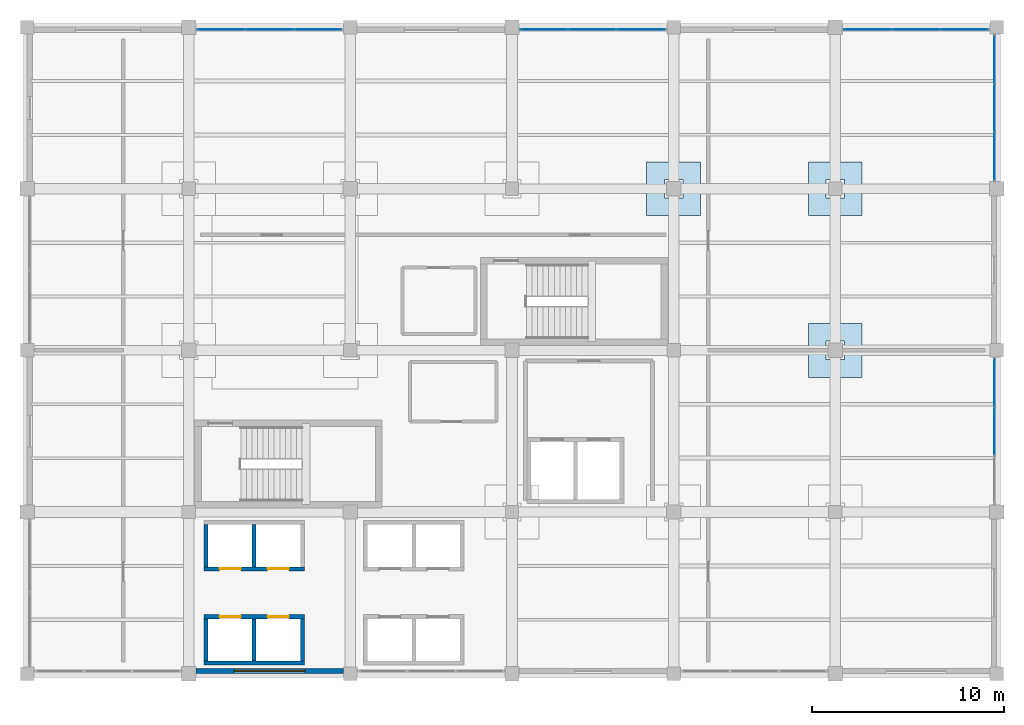
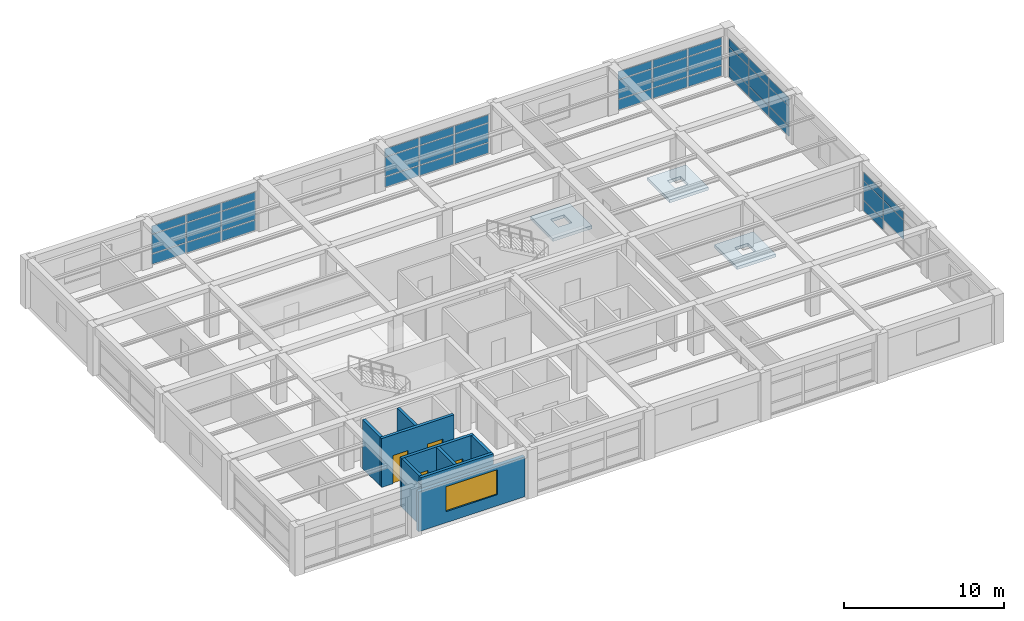
# One storey, part 23 of 26: 41 plates, 9 walls, 4 doors, 3 slabs, 1 window, 5 openings, 5 elements without a shape of their own.
"""IFC4 building model written with IfcOpenShell, lengths in metres."""

from ifc_helpers import new_model, si_unit, direction, frame, frame_2d, origin, origin_2d, place, context, subcontext, project, spatial, polyline, rectangle, outline, extrude, material, layer, layer_set, type_object, element, fill, aggregate, save


model = new_model("IFC4")

# Units and contexts
model_context = context("Model", 3, precision=1e-05, world=origin(), true_north=direction((0.0, 1.0)))
body_context = subcontext(model_context, "Body", "Model", "MODEL_VIEW")
ifc_project = project(units=[si_unit("LENGTHUNIT", "METRE"), si_unit("AREAUNIT", "SQUARE_METRE"), si_unit("VOLUMEUNIT", "CUBIC_METRE"), si_unit("PLANEANGLEUNIT", "RADIAN"), si_unit("MASSUNIT", "GRAM", prefix="KILO")], contexts=[model_context])

# Site, building, storey
site_placement = place(None, origin())
site = spatial("IfcSite", under=ifc_project, at=site_placement, CompositionType="ELEMENT")
building_placement = place(site_placement, origin())
building = spatial("IfcBuilding", under=site, at=building_placement, Name="Almacenes y Pasaje Nevantli", CompositionType="ELEMENT")
storey_placement = place(building_placement, frame((0.0, 0.0, 30.699951171875)))
storey = spatial("IfcBuildingStorey", under=building, at=storey_placement, Name="L07", CompositionType="ELEMENT", Elevation=30.699951171875)

# Curtain wall, plates
ifc_material_1 = material(Name="Thermally Broken Aluminium and Low-E Glass", Category="aluminium")
curtain_wall_type = type_object("IfcCurtainWallType", Name="CW-UNIT-TOWER", PredefinedType="USERDEFINED", material=ifc_material_1)
curtain_wall_1_placement = place(storey_placement, origin())
curtain_wall_1 = element("IfcCurtainWall", 1, at=curtain_wall_1_placement, inside=storey, type_object=curtain_wall_type, Name="L07 Tower North Boulevard Unitized Curtain Wall Bay 15", ObjectType="UNITIZED CURTAIN WALL", PredefinedType="USERDEFINED")
ifc_material_2 = material(Name="Acoustic Tempered Low-E Triple Glazed Unit", Category="glass")
ifc_layer_1 = layer(ifc_material_2, 0.0419921875)
ifc_layer_set_1 = layer_set([ifc_layer_1], Name="Acoustic Tempered Low-E Triple Glazed Unit")
plate_type = type_object("IfcPlateType", Name="PL-IGU-42", PredefinedType="CURTAIN_PANEL", material=ifc_layer_set_1)
plate_1_placement = place(storey_placement, frame((119.282958984375, 100.679931640625, 0.065185546875), z_axis=(0.0, 0.0, 1.0), x_axis=(1.0, 0.0, 0.0)))
plate_1 = element("IfcPlate", 2, at=plate_1_placement, type_object=plate_type, Name="CW-L07-112 panel 1.1", PredefinedType="CURTAIN_PANEL", context=body_context, shape_type="SweptSolid", body=[
    extrude(rectangle(XDim=2.435791015625, YDim=0.0419921875, at=origin_2d()), origin(), (0.0, 0.0, 1.0), 0.75244140625),
])
plate_2_placement = place(storey_placement, frame((119.282958984375, 100.679931640625, 0.882568359375), z_axis=(0.0, 0.0, 1.0), x_axis=(1.0, 0.0, 0.0)))
plate_2 = element("IfcPlate", 3, at=plate_2_placement, type_object=plate_type, Name="CW-L07-112 panel 1.2", PredefinedType="CURTAIN_PANEL", context=body_context, shape_type="SweptSolid", body=[
    extrude(rectangle(XDim=2.435791015625, YDim=0.0419921875, at=origin_2d()), origin(), (0.0, 0.0, 1.0), 1.43505859375),
])
plate_3_placement = place(storey_placement, frame((119.282958984375, 100.679931640625, 2.38232421875), z_axis=(0.0, 0.0, 1.0), x_axis=(1.0, 0.0, 0.0)))
plate_3 = element("IfcPlate", 4, at=plate_3_placement, type_object=plate_type, Name="CW-L07-112 panel 1.3", PredefinedType="CURTAIN_PANEL", context=body_context, shape_type="SweptSolid", body=[
    extrude(rectangle(XDim=2.435791015625, YDim=0.0419921875, at=origin_2d()), origin(), (0.0, 0.0, 1.0), 0.592529296875),
])
plate_4_placement = place(storey_placement, frame((121.800048828125, 100.679931640625, 0.065185546875), z_axis=(0.0, 0.0, 1.0), x_axis=(1.0, 0.0, 0.0)))
plate_4 = element("IfcPlate", 5, at=plate_4_placement, type_object=plate_type, Name="CW-L07-112 panel 2.1", PredefinedType="CURTAIN_PANEL", context=body_context, shape_type="SweptSolid", body=[
    extrude(rectangle(XDim=2.46826171875, YDim=0.0419921875, at=origin_2d()), origin(), (0.0, 0.0, 1.0), 0.75244140625),
])
plate_5_placement = place(storey_placement, frame((121.800048828125, 100.679931640625, 0.882568359375), z_axis=(0.0, 0.0, 1.0), x_axis=(1.0, 0.0, 0.0)))
plate_5 = element("IfcPlate", 6, at=plate_5_placement, type_object=plate_type, Name="CW-L07-112 panel 2.2", PredefinedType="CURTAIN_PANEL", context=body_context, shape_type="SweptSolid", body=[
    extrude(rectangle(XDim=2.46826171875, YDim=0.0419921875, at=origin_2d()), origin(), (0.0, 0.0, 1.0), 1.43505859375),
])
plate_6_placement = place(storey_placement, frame((121.800048828125, 100.679931640625, 2.38232421875), z_axis=(0.0, 0.0, 1.0), x_axis=(1.0, 0.0, 0.0)))
plate_6 = element("IfcPlate", 7, at=plate_6_placement, type_object=plate_type, Name="CW-L07-112 panel 2.3", PredefinedType="CURTAIN_PANEL", context=body_context, shape_type="SweptSolid", body=[
    extrude(rectangle(XDim=2.46826171875, YDim=0.0419921875, at=origin_2d()), origin(), (0.0, 0.0, 1.0), 0.592529296875),
])
plate_7_placement = place(storey_placement, frame((124.317138671875, 100.679931640625, 0.065185546875), z_axis=(0.0, 0.0, 1.0), x_axis=(1.0, 0.0, 0.0)))
plate_7 = element("IfcPlate", 8, at=plate_7_placement, type_object=plate_type, Name="CW-L07-112 panel 3.1", PredefinedType="CURTAIN_PANEL", context=body_context, shape_type="SweptSolid", body=[
    extrude(rectangle(XDim=2.435791015625, YDim=0.0419921875, at=origin_2d()), origin(), (0.0, 0.0, 1.0), 0.75244140625),
])
plate_8_placement = place(storey_placement, frame((124.317138671875, 100.679931640625, 0.882568359375), z_axis=(0.0, 0.0, 1.0), x_axis=(1.0, 0.0, 0.0)))
plate_8 = element("IfcPlate", 9, at=plate_8_placement, type_object=plate_type, Name="CW-L07-112 panel 3.2", PredefinedType="CURTAIN_PANEL", context=body_context, shape_type="SweptSolid", body=[
    extrude(rectangle(XDim=2.435791015625, YDim=0.0419921875, at=origin_2d()), origin(), (0.0, 0.0, 1.0), 1.43505859375),
])
plate_9_placement = place(storey_placement, frame((124.317138671875, 100.679931640625, 2.38232421875), z_axis=(0.0, 0.0, 1.0), x_axis=(1.0, 0.0, 0.0)))
plate_9 = element("IfcPlate", 10, at=plate_9_placement, type_object=plate_type, Name="CW-L07-112 panel 3.3", PredefinedType="CURTAIN_PANEL", context=body_context, shape_type="SweptSolid", body=[
    extrude(rectangle(XDim=2.435791015625, YDim=0.0419921875, at=origin_2d()), origin(), (0.0, 0.0, 1.0), 0.592529296875),
])
aggregate(curtain_wall_1, [plate_1, plate_2, plate_3, plate_4, plate_5, plate_6, plate_7, plate_8, plate_9])

curtain_wall_2_placement = place(storey_placement, origin())
curtain_wall_2 = element("IfcCurtainWall", 11, at=curtain_wall_2_placement, inside=storey, type_object=curtain_wall_type, Name="L07 Tower North Boulevard Unitized Curtain Wall Bay 17", ObjectType="UNITIZED CURTAIN WALL", PredefinedType="USERDEFINED")
plate_10_placement = place(storey_placement, frame((136.0830078125, 100.679931640625, 0.065185546875), z_axis=(0.0, 0.0, 1.0), x_axis=(1.0, 0.0, 0.0)))
plate_10 = element("IfcPlate", 12, at=plate_10_placement, type_object=plate_type, Name="CW-L07-114 panel 1.1", PredefinedType="CURTAIN_PANEL", context=body_context, shape_type="SweptSolid", body=[
    extrude(rectangle(XDim=2.435791015625, YDim=0.0419921875, at=origin_2d()), origin(), (0.0, 0.0, 1.0), 0.75244140625),
])
plate_11_placement = place(storey_placement, frame((136.0830078125, 100.679931640625, 0.882568359375), z_axis=(0.0, 0.0, 1.0), x_axis=(1.0, 0.0, 0.0)))
plate_11 = element("IfcPlate", 13, at=plate_11_placement, type_object=plate_type, Name="CW-L07-114 panel 1.2", PredefinedType="CURTAIN_PANEL", context=body_context, shape_type="SweptSolid", body=[
    extrude(rectangle(XDim=2.435791015625, YDim=0.0419921875, at=origin_2d()), origin(), (0.0, 0.0, 1.0), 1.43505859375),
])
plate_12_placement = place(storey_placement, frame((136.0830078125, 100.679931640625, 2.38232421875), z_axis=(0.0, 0.0, 1.0), x_axis=(1.0, 0.0, 0.0)))
plate_12 = element("IfcPlate", 14, at=plate_12_placement, type_object=plate_type, Name="CW-L07-114 panel 1.3", PredefinedType="CURTAIN_PANEL", context=body_context, shape_type="SweptSolid", body=[
    extrude(rectangle(XDim=2.435791015625, YDim=0.0419921875, at=origin_2d()), origin(), (0.0, 0.0, 1.0), 0.592529296875),
])
plate_13_placement = place(storey_placement, frame((138.60009765625, 100.679931640625, 0.065185546875), z_axis=(0.0, 0.0, 1.0), x_axis=(1.0, 0.0, 0.0)))
plate_13 = element("IfcPlate", 15, at=plate_13_placement, type_object=plate_type, Name="CW-L07-114 panel 2.1", PredefinedType="CURTAIN_PANEL", context=body_context, shape_type="SweptSolid", body=[
    extrude(rectangle(XDim=2.46826171875, YDim=0.0419921875, at=origin_2d()), origin(), (0.0, 0.0, 1.0), 0.75244140625),
])
plate_14_placement = place(storey_placement, frame((138.60009765625, 100.679931640625, 0.882568359375), z_axis=(0.0, 0.0, 1.0), x_axis=(1.0, 0.0, 0.0)))
plate_14 = element("IfcPlate", 16, at=plate_14_placement, type_object=plate_type, Name="CW-L07-114 panel 2.2", PredefinedType="CURTAIN_PANEL", context=body_context, shape_type="SweptSolid", body=[
    extrude(rectangle(XDim=2.46826171875, YDim=0.0419921875, at=origin_2d()), origin(), (0.0, 0.0, 1.0), 1.43505859375),
])
plate_15_placement = place(storey_placement, frame((138.60009765625, 100.679931640625, 2.38232421875), z_axis=(0.0, 0.0, 1.0), x_axis=(1.0, 0.0, 0.0)))
plate_15 = element("IfcPlate", 17, at=plate_15_placement, type_object=plate_type, Name="CW-L07-114 panel 2.3", PredefinedType="CURTAIN_PANEL", context=body_context, shape_type="SweptSolid", body=[
    extrude(rectangle(XDim=2.46826171875, YDim=0.0419921875, at=origin_2d()), origin(), (0.0, 0.0, 1.0), 0.592529296875),
])
plate_16_placement = place(storey_placement, frame((141.1171875, 100.679931640625, 0.065185546875), z_axis=(0.0, 0.0, 1.0), x_axis=(1.0, 0.0, 0.0)))
plate_16 = element("IfcPlate", 18, at=plate_16_placement, type_object=plate_type, Name="CW-L07-114 panel 3.1", PredefinedType="CURTAIN_PANEL", context=body_context, shape_type="SweptSolid", body=[
    extrude(rectangle(XDim=2.435791015625, YDim=0.0419921875, at=origin_2d()), origin(), (0.0, 0.0, 1.0), 0.75244140625),
])
plate_17_placement = place(storey_placement, frame((141.1171875, 100.679931640625, 0.882568359375), z_axis=(0.0, 0.0, 1.0), x_axis=(1.0, 0.0, 0.0)))
plate_17 = element("IfcPlate", 19, at=plate_17_placement, type_object=plate_type, Name="CW-L07-114 panel 3.2", PredefinedType="CURTAIN_PANEL", context=body_context, shape_type="SweptSolid", body=[
    extrude(rectangle(XDim=2.435791015625, YDim=0.0419921875, at=origin_2d()), origin(), (0.0, 0.0, 1.0), 1.43505859375),
])
plate_18_placement = place(storey_placement, frame((141.1171875, 100.679931640625, 2.38232421875), z_axis=(0.0, 0.0, 1.0), x_axis=(1.0, 0.0, 0.0)))
plate_18 = element("IfcPlate", 20, at=plate_18_placement, type_object=plate_type, Name="CW-L07-114 panel 3.3", PredefinedType="CURTAIN_PANEL", context=body_context, shape_type="SweptSolid", body=[
    extrude(rectangle(XDim=2.435791015625, YDim=0.0419921875, at=origin_2d()), origin(), (0.0, 0.0, 1.0), 0.592529296875),
])
aggregate(curtain_wall_2, [plate_10, plate_11, plate_12, plate_13, plate_14, plate_15, plate_16, plate_17, plate_18])

curtain_wall_3_placement = place(storey_placement, origin())
curtain_wall_3 = element("IfcCurtainWall", 21, at=curtain_wall_3_placement, inside=storey, type_object=curtain_wall_type, Name="L07 Tower North Boulevard Unitized Curtain Wall Bay 19", ObjectType="UNITIZED CURTAIN WALL", PredefinedType="USERDEFINED")
plate_19_placement = place(storey_placement, frame((152.8828125, 100.679931640625, 0.065185546875), z_axis=(0.0, 0.0, 1.0), x_axis=(1.0, 0.0, 0.0)))
plate_19 = element("IfcPlate", 22, at=plate_19_placement, type_object=plate_type, Name="CW-L07-116 panel 1.1", PredefinedType="CURTAIN_PANEL", context=body_context, shape_type="SweptSolid", body=[
    extrude(rectangle(XDim=2.435791015625, YDim=0.0419921875, at=origin_2d()), origin(), (0.0, 0.0, 1.0), 0.75244140625),
])
plate_20_placement = place(storey_placement, frame((152.8828125, 100.679931640625, 0.882568359375), z_axis=(0.0, 0.0, 1.0), x_axis=(1.0, 0.0, 0.0)))
plate_20 = element("IfcPlate", 23, at=plate_20_placement, type_object=plate_type, Name="CW-L07-116 panel 1.2", PredefinedType="CURTAIN_PANEL", context=body_context, shape_type="SweptSolid", body=[
    extrude(rectangle(XDim=2.435791015625, YDim=0.0419921875, at=origin_2d()), origin(), (0.0, 0.0, 1.0), 1.43505859375),
])
plate_21_placement = place(storey_placement, frame((152.8828125, 100.679931640625, 2.38232421875), z_axis=(0.0, 0.0, 1.0), x_axis=(1.0, 0.0, 0.0)))
plate_21 = element("IfcPlate", 24, at=plate_21_placement, type_object=plate_type, Name="CW-L07-116 panel 1.3", PredefinedType="CURTAIN_PANEL", context=body_context, shape_type="SweptSolid", body=[
    extrude(rectangle(XDim=2.435791015625, YDim=0.0419921875, at=origin_2d()), origin(), (0.0, 0.0, 1.0), 0.592529296875),
])
plate_22_placement = place(storey_placement, frame((155.39990234375, 100.679931640625, 0.065185546875), z_axis=(0.0, 0.0, 1.0), x_axis=(1.0, 0.0, 0.0)))
plate_22 = element("IfcPlate", 25, at=plate_22_placement, type_object=plate_type, Name="CW-L07-116 panel 2.1", PredefinedType="CURTAIN_PANEL", context=body_context, shape_type="SweptSolid", body=[
    extrude(rectangle(XDim=2.46826171875, YDim=0.0419921875, at=origin_2d()), origin(), (0.0, 0.0, 1.0), 0.75244140625),
])
plate_23_placement = place(storey_placement, frame((155.39990234375, 100.679931640625, 0.882568359375), z_axis=(0.0, 0.0, 1.0), x_axis=(1.0, 0.0, 0.0)))
plate_23 = element("IfcPlate", 26, at=plate_23_placement, type_object=plate_type, Name="CW-L07-116 panel 2.2", PredefinedType="CURTAIN_PANEL", context=body_context, shape_type="SweptSolid", body=[
    extrude(rectangle(XDim=2.46826171875, YDim=0.0419921875, at=origin_2d()), origin(), (0.0, 0.0, 1.0), 1.43505859375),
])
plate_24_placement = place(storey_placement, frame((155.39990234375, 100.679931640625, 2.38232421875), z_axis=(0.0, 0.0, 1.0), x_axis=(1.0, 0.0, 0.0)))
plate_24 = element("IfcPlate", 27, at=plate_24_placement, type_object=plate_type, Name="CW-L07-116 panel 2.3", PredefinedType="CURTAIN_PANEL", context=body_context, shape_type="SweptSolid", body=[
    extrude(rectangle(XDim=2.46826171875, YDim=0.0419921875, at=origin_2d()), origin(), (0.0, 0.0, 1.0), 0.592529296875),
])
plate_25_placement = place(storey_placement, frame((157.9169921875, 100.679931640625, 0.065185546875), z_axis=(0.0, 0.0, 1.0), x_axis=(1.0, 0.0, 0.0)))
plate_25 = element("IfcPlate", 28, at=plate_25_placement, type_object=plate_type, Name="CW-L07-116 panel 3.1", PredefinedType="CURTAIN_PANEL", context=body_context, shape_type="SweptSolid", body=[
    extrude(rectangle(XDim=2.435791015625, YDim=0.0419921875, at=origin_2d()), origin(), (0.0, 0.0, 1.0), 0.75244140625),
])
plate_26_placement = place(storey_placement, frame((157.9169921875, 100.679931640625, 0.882568359375), z_axis=(0.0, 0.0, 1.0), x_axis=(1.0, 0.0, 0.0)))
plate_26 = element("IfcPlate", 29, at=plate_26_placement, type_object=plate_type, Name="CW-L07-116 panel 3.2", PredefinedType="CURTAIN_PANEL", context=body_context, shape_type="SweptSolid", body=[
    extrude(rectangle(XDim=2.435791015625, YDim=0.0419921875, at=origin_2d()), origin(), (0.0, 0.0, 1.0), 1.43505859375),
])
plate_27_placement = place(storey_placement, frame((157.9169921875, 100.679931640625, 2.38232421875), z_axis=(0.0, 0.0, 1.0), x_axis=(1.0, 0.0, 0.0)))
plate_27 = element("IfcPlate", 30, at=plate_27_placement, type_object=plate_type, Name="CW-L07-116 panel 3.3", PredefinedType="CURTAIN_PANEL", context=body_context, shape_type="SweptSolid", body=[
    extrude(rectangle(XDim=2.435791015625, YDim=0.0419921875, at=origin_2d()), origin(), (0.0, 0.0, 1.0), 0.592529296875),
])
aggregate(curtain_wall_3, [plate_19, plate_20, plate_21, plate_22, plate_23, plate_24, plate_25, plate_26, plate_27])

curtain_wall_4_placement = place(storey_placement, origin())
curtain_wall_4 = element("IfcCurtainWall", 31, at=curtain_wall_4_placement, inside=storey, type_object=curtain_wall_type, Name="L07 Tower East Curtain Wall Bay 10", ObjectType="UNITIZED CURTAIN WALL", PredefinedType="USERDEFINED")
plate_28_placement = place(storey_placement, frame((159.47998046875, 79.800048828125, 0.880126953125), z_axis=(0.0, 0.0, 1.0), x_axis=(0.0, 1.0, 0.0)))
plate_28 = element("IfcPlate", 32, at=plate_28_placement, type_object=plate_type, Name="CW-L07-118 panel 2.2", PredefinedType="CURTAIN_PANEL", context=body_context, shape_type="SweptSolid", body=[
    extrude(rectangle(XDim=2.473388671875, YDim=0.0419921875, at=origin_2d()), origin(), (0.0, 0.0, 1.0), 1.43994140625),
])
plate_29_placement = place(storey_placement, frame((159.47998046875, 79.800048828125, 2.3798828125), z_axis=(0.0, 0.0, 1.0), x_axis=(0.0, 1.0, 0.0)))
plate_29 = element("IfcPlate", 33, at=plate_29_placement, type_object=plate_type, Name="CW-L07-118 panel 2.3", PredefinedType="CURTAIN_PANEL", context=body_context, shape_type="SweptSolid", body=[
    extrude(rectangle(XDim=2.473388671875, YDim=0.0419921875, at=origin_2d()), origin(), (0.0, 0.0, 1.0), 0.60009765625),
])
plate_30_placement = place(storey_placement, frame((159.47998046875, 82.318359375, 0.06005859375), z_axis=(0.0, 0.0, 1.0), x_axis=(0.0, 1.0, 0.0)))
plate_30 = element("IfcPlate", 34, at=plate_30_placement, type_object=plate_type, Name="CW-L07-118 panel 3.1", PredefinedType="CURTAIN_PANEL", context=body_context, shape_type="SweptSolid", body=[
    extrude(rectangle(XDim=2.443359375, YDim=0.0419921875, at=origin_2d()), origin(), (0.0, 0.0, 1.0), 0.760009765625),
])
plate_31_placement = place(storey_placement, frame((159.47998046875, 82.318359375, 0.880126953125), z_axis=(0.0, 0.0, 1.0), x_axis=(0.0, 1.0, 0.0)))
plate_31 = element("IfcPlate", 35, at=plate_31_placement, type_object=plate_type, Name="CW-L07-118 panel 3.2", PredefinedType="CURTAIN_PANEL", context=body_context, shape_type="SweptSolid", body=[
    extrude(rectangle(XDim=2.443359375, YDim=0.0419921875, at=origin_2d()), origin(), (0.0, 0.0, 1.0), 1.43994140625),
])
plate_32_placement = place(storey_placement, frame((159.47998046875, 82.318359375, 2.3798828125), z_axis=(0.0, 0.0, 1.0), x_axis=(0.0, 1.0, 0.0)))
plate_32 = element("IfcPlate", 36, at=plate_32_placement, type_object=plate_type, Name="CW-L07-118 panel 3.3", PredefinedType="CURTAIN_PANEL", context=body_context, shape_type="SweptSolid", body=[
    extrude(rectangle(XDim=2.443359375, YDim=0.0419921875, at=origin_2d()), origin(), (0.0, 0.0, 1.0), 0.60009765625),
])
aggregate(curtain_wall_4, [plate_28, plate_29, plate_30, plate_31, plate_32])

curtain_wall_5_placement = place(storey_placement, origin())
curtain_wall_5 = element("IfcCurtainWall", 37, at=curtain_wall_5_placement, inside=storey, type_object=curtain_wall_type, Name="L07 Tower East Curtain Wall Bay 12", ObjectType="UNITIZED CURTAIN WALL", PredefinedType="USERDEFINED")
plate_33_placement = place(storey_placement, frame((159.47998046875, 94.081787109375, 0.06005859375), z_axis=(0.0, 0.0, 1.0), x_axis=(0.0, 1.0, 0.0)))
plate_33 = element("IfcPlate", 38, at=plate_33_placement, type_object=plate_type, Name="CW-L07-120 panel 1.1", PredefinedType="CURTAIN_PANEL", context=body_context, shape_type="SweptSolid", body=[
    extrude(rectangle(XDim=2.443359375, YDim=0.0419921875, at=origin_2d()), origin(), (0.0, 0.0, 1.0), 0.760009765625),
])
plate_34_placement = place(storey_placement, frame((159.47998046875, 94.081787109375, 0.880126953125), z_axis=(0.0, 0.0, 1.0), x_axis=(0.0, 1.0, 0.0)))
plate_34 = element("IfcPlate", 39, at=plate_34_placement, type_object=plate_type, Name="CW-L07-120 panel 1.2", PredefinedType="CURTAIN_PANEL", context=body_context, shape_type="SweptSolid", body=[
    extrude(rectangle(XDim=2.443359375, YDim=0.0419921875, at=origin_2d()), origin(), (0.0, 0.0, 1.0), 1.43994140625),
])
plate_35_placement = place(storey_placement, frame((159.47998046875, 94.081787109375, 2.3798828125), z_axis=(0.0, 0.0, 1.0), x_axis=(0.0, 1.0, 0.0)))
plate_35 = element("IfcPlate", 40, at=plate_35_placement, type_object=plate_type, Name="CW-L07-120 panel 1.3", PredefinedType="CURTAIN_PANEL", context=body_context, shape_type="SweptSolid", body=[
    extrude(rectangle(XDim=2.443359375, YDim=0.0419921875, at=origin_2d()), origin(), (0.0, 0.0, 1.0), 0.60009765625),
])
plate_36_placement = place(storey_placement, frame((159.47998046875, 96.60009765625, 0.06005859375), z_axis=(0.0, 0.0, 1.0), x_axis=(0.0, 1.0, 0.0)))
plate_36 = element("IfcPlate", 41, at=plate_36_placement, type_object=plate_type, Name="CW-L07-120 panel 2.1", PredefinedType="CURTAIN_PANEL", context=body_context, shape_type="SweptSolid", body=[
    extrude(rectangle(XDim=2.473388671875, YDim=0.0419921875, at=origin_2d()), origin(), (0.0, 0.0, 1.0), 0.760009765625),
])
plate_37_placement = place(storey_placement, frame((159.47998046875, 96.60009765625, 0.880126953125), z_axis=(0.0, 0.0, 1.0), x_axis=(0.0, 1.0, 0.0)))
plate_37 = element("IfcPlate", 42, at=plate_37_placement, type_object=plate_type, Name="CW-L07-120 panel 2.2", PredefinedType="CURTAIN_PANEL", context=body_context, shape_type="SweptSolid", body=[
    extrude(rectangle(XDim=2.473388671875, YDim=0.0419921875, at=origin_2d()), origin(), (0.0, 0.0, 1.0), 1.43994140625),
])
plate_38_placement = place(storey_placement, frame((159.47998046875, 96.60009765625, 2.3798828125), z_axis=(0.0, 0.0, 1.0), x_axis=(0.0, 1.0, 0.0)))
plate_38 = element("IfcPlate", 43, at=plate_38_placement, type_object=plate_type, Name="CW-L07-120 panel 2.3", PredefinedType="CURTAIN_PANEL", context=body_context, shape_type="SweptSolid", body=[
    extrude(rectangle(XDim=2.473388671875, YDim=0.0419921875, at=origin_2d()), origin(), (0.0, 0.0, 1.0), 0.60009765625),
])
plate_39_placement = place(storey_placement, frame((159.47998046875, 99.118408203125, 0.06005859375), z_axis=(0.0, 0.0, 1.0), x_axis=(0.0, 1.0, 0.0)))
plate_39 = element("IfcPlate", 44, at=plate_39_placement, type_object=plate_type, Name="CW-L07-120 panel 3.1", PredefinedType="CURTAIN_PANEL", context=body_context, shape_type="SweptSolid", body=[
    extrude(rectangle(XDim=2.443359375, YDim=0.0419921875, at=origin_2d()), origin(), (0.0, 0.0, 1.0), 0.760009765625),
])
plate_40_placement = place(storey_placement, frame((159.47998046875, 99.118408203125, 0.880126953125), z_axis=(0.0, 0.0, 1.0), x_axis=(0.0, 1.0, 0.0)))
plate_40 = element("IfcPlate", 45, at=plate_40_placement, type_object=plate_type, Name="CW-L07-120 panel 3.2", PredefinedType="CURTAIN_PANEL", context=body_context, shape_type="SweptSolid", body=[
    extrude(rectangle(XDim=2.443359375, YDim=0.0419921875, at=origin_2d()), origin(), (0.0, 0.0, 1.0), 1.43994140625),
])
plate_41_placement = place(storey_placement, frame((159.47998046875, 99.118408203125, 2.3798828125), z_axis=(0.0, 0.0, 1.0), x_axis=(0.0, 1.0, 0.0)))
plate_41 = element("IfcPlate", 46, at=plate_41_placement, type_object=plate_type, Name="CW-L07-120 panel 3.3", PredefinedType="CURTAIN_PANEL", context=body_context, shape_type="SweptSolid", body=[
    extrude(rectangle(XDim=2.443359375, YDim=0.0419921875, at=origin_2d()), origin(), (0.0, 0.0, 1.0), 0.60009765625),
])
aggregate(curtain_wall_5, [plate_33, plate_34, plate_35, plate_36, plate_37, plate_38, plate_39, plate_40, plate_41])

# Slabs
ifc_material_3 = material(Name="Concrete C35/45", Category="concrete")
ifc_layer_2 = layer(ifc_material_3, 0.22998046875)
ifc_layer_set_2 = layer_set([ifc_layer_2], Name="Concrete C35/45")
slab_type = type_object("IfcSlabType", Name="SLB-DP-230", PredefinedType="USERDEFINED", material=ifc_layer_set_2)
slab_1_placement = place(storey_placement, frame((0.0, 0.0, -0.510009765625)))
element("IfcSlab", 47, at=slab_1_placement, inside=storey, type_object=slab_type, Name="L07 Punching-Shear Drop Panel DP-01 #1117", ObjectType="DROP PANEL", PredefinedType="USERDEFINED", context=body_context, shape_type="SweptSolid", body=[
    extrude(outline(polyline([(141.39990234375, 91.0), (144.199951171875, 91.0), (144.199951171875, 93.800048828125), (141.39990234375, 93.800048828125), (141.39990234375, 91.0)]), holes=[polyline([(142.320068359375, 91.919921875), (143.280029296875, 91.919921875), (143.280029296875, 92.8798828125), (142.320068359375, 92.8798828125), (142.320068359375, 91.919921875)])]), origin(), (0.0, 0.0, 1.0), 0.22998046875),
])
slab_2_placement = place(storey_placement, frame((0.0, 0.0, -0.510009765625)))
element("IfcSlab", 48, at=slab_2_placement, inside=storey, type_object=slab_type, Name="L07 Punching-Shear Drop Panel DP-01 #1119", ObjectType="DROP PANEL", PredefinedType="USERDEFINED", context=body_context, shape_type="SweptSolid", body=[
    extrude(outline(polyline([(149.800048828125, 82.60009765625), (152.60009765625, 82.60009765625), (152.60009765625, 85.39990234375), (149.800048828125, 85.39990234375), (149.800048828125, 82.60009765625)]), holes=[polyline([(150.719970703125, 83.52001953125), (151.679931640625, 83.52001953125), (151.679931640625, 84.47998046875), (150.719970703125, 84.47998046875), (150.719970703125, 83.52001953125)])]), origin(), (0.0, 0.0, 1.0), 0.22998046875),
])
slab_3_placement = place(storey_placement, frame((0.0, 0.0, -0.510009765625)))
element("IfcSlab", 49, at=slab_3_placement, inside=storey, type_object=slab_type, Name="L07 Punching-Shear Drop Panel DP-01 #1120", ObjectType="DROP PANEL", PredefinedType="USERDEFINED", context=body_context, shape_type="SweptSolid", body=[
    extrude(outline(polyline([(149.800048828125, 91.0), (152.60009765625, 91.0), (152.60009765625, 93.800048828125), (149.800048828125, 93.800048828125), (149.800048828125, 91.0)]), holes=[polyline([(150.719970703125, 91.919921875), (151.679931640625, 91.919921875), (151.679931640625, 92.8798828125), (150.719970703125, 92.8798828125), (150.719970703125, 91.919921875)])]), origin(), (0.0, 0.0, 1.0), 0.22998046875),
])

# Wall, opening, window
ifc_material_4 = material(Name="Cream Architectural Precast Concrete C35/45 Wall", Category="concrete")
ifc_layer_3 = layer(ifc_material_4, 0.260009765625)
ifc_layer_set_3 = layer_set([ifc_layer_3], Name="Cream Architectural Precast Concrete C35/45 Wall")
wall_type_1 = type_object("IfcWallType", Name="WL-EXT-PRECAST-260", PredefinedType="SOLIDWALL", material=ifc_layer_set_3)
wall_1_placement = place(storey_placement, frame((117.97802734375, 67.340087890625, 0.0), z_axis=(0.0, 0.0, 1.0), x_axis=(1.0, 0.0, 0.0)))
wall_1 = element("IfcWall", 50, at=wall_1_placement, inside=storey, type_object=wall_type_1, Name="L07 Tower South Precast Spandrel Wall Bay 15", PredefinedType="SOLIDWALL", context=body_context, shape_type="SweptSolid", body=[
    extrude(rectangle(XDim=7.669921875, YDim=0.260009765625, at=frame_2d((3.8349609375, 0.0))), origin(), (0.0, 0.0, 1.0), 3.0400390625),
])
opening_1_placement = place(wall_1_placement, frame((1.971923828125, 0.0, 0.85009765625)))
opening_1 = element("IfcOpeningElement", 51, at=opening_1_placement, cuts=wall_1, Name="Opening WT-26-203", PredefinedType="OPENING", context=body_context, shape_type="SweptSolid", body=[
    extrude(rectangle(XDim=3.699951171875, YDim=1.89990234375, at=frame_2d((1.85009765625, 0.949951171875))), frame((0.0, 0.139892578125, 0.0), z_axis=(0.0, -1.0, 0.0), x_axis=(1.0, 0.0, 0.0)), (0.0, 0.0, 1.0), 0.280029296875),
])
ifc_material_5 = material(Name="Thermally Broken Aluminium and Low-E Double Glazing", Category="aluminium")
window_type = type_object("IfcWindowType", Name="WN-TWR-3700x1900", PartitioningType="SINGLE_PANEL", PredefinedType="WINDOW", material=ifc_material_5)
window_placement = place(opening_1_placement, origin())
window = element("IfcWindow", 52, at=window_placement, inside=storey, type_object=window_type, Name="L07 Exterior Window WT-26 #203", OverallHeight=1.89990234375, OverallWidth=3.699951171875, PartitioningType="SINGLE_PANEL", PredefinedType="WINDOW", context=body_context, shape_type="SweptSolid", body=[
    extrude(rectangle(XDim=3.699951171875, YDim=1.89990234375, at=frame_2d((1.85009765625, 0.949951171875))), frame((0.0, 0.030029296875, 0.0), z_axis=(0.0, -1.0, 0.0), x_axis=(1.0, 0.0, 0.0)), (0.0, 0.0, 1.0), 0.06005859375),
])
fill(opening_1, window)

# Wall
ifc_material_6 = material(Name="Concrete C45/55", Category="concrete")
ifc_layer_4 = layer(ifc_material_6, 0.2099609375)
ifc_layer_set_4 = layer_set([ifc_layer_4], Name="Concrete C45/55")
wall_type_2 = type_object("IfcWallType", Name="WL-SHAFT-210", PredefinedType="SHEAR", material=ifc_layer_set_4)
wall_2_placement = place(storey_placement, frame((118.389892578125, 67.7451171875, 0.0), z_axis=(0.0, 0.0, 1.0), x_axis=(1.0, 0.0, 0.0)))
element("IfcWall", 53, at=wall_2_placement, inside=storey, type_object=wall_type_2, Name="L07 Lift Hoistway ELV-P05-ELV-P06 South Wall", PredefinedType="SHEAR", context=body_context, shape_type="SweptSolid", body=[
    extrude(rectangle(XDim=5.22021484375, YDim=0.2099609375, at=frame_2d((2.610107421875, 0.0))), origin(), (0.0, 0.0, 1.0), 3.719970703125),
])

# Wall, openings, doors
wall_3_placement = place(storey_placement, frame((118.389892578125, 70.155029296875, 0.0), z_axis=(0.0, 0.0, 1.0), x_axis=(1.0, 0.0, 0.0)))
wall_3 = element("IfcWall", 54, at=wall_3_placement, inside=storey, type_object=wall_type_2, Name="L07 Lift Hoistway ELV-P05-ELV-P06 North Wall", PredefinedType="SHEAR", context=body_context, shape_type="SweptSolid", body=[
    extrude(rectangle(XDim=5.22021484375, YDim=0.2099609375, at=frame_2d((2.610107421875, 0.0))), origin(), (0.0, 0.0, 1.0), 3.719970703125),
])
opening_2_placement = place(wall_3_placement, frame((0.81005859375, 0.0, 0.0)))
opening_2 = element("IfcOpeningElement", 55, at=opening_2_placement, cuts=wall_3, Name="Opening LD-P05-L07", PredefinedType="OPENING", context=body_context, shape_type="SweptSolid", body=[
    extrude(rectangle(XDim=1.10009765625, YDim=2.14990234375, at=frame_2d((0.550048828125, 1.074951171875))), frame((0.0, 0.114990234375, 0.0), z_axis=(0.0, -1.0, 0.0), x_axis=(1.0, 0.0, 0.0)), (0.0, 0.0, 1.0), 0.22998046875),
])
opening_3_placement = place(wall_3_placement, frame((3.31005859375, 0.0, 0.0)))
opening_3 = element("IfcOpeningElement", 56, at=opening_3_placement, cuts=wall_3, Name="Opening LD-P06-L07", PredefinedType="OPENING", context=body_context, shape_type="SweptSolid", body=[
    extrude(rectangle(XDim=1.10009765625, YDim=2.14990234375, at=frame_2d((0.550048828125, 1.074951171875))), frame((0.0, 0.114990234375, 0.0), z_axis=(0.0, -1.0, 0.0), x_axis=(1.0, 0.0, 0.0)), (0.0, 0.0, 1.0), 0.22998046875),
])
ifc_material_7 = material(Name="Brushed Stainless Steel", Category="steel")
door_type = type_object("IfcDoorType", Name="DR-LD-PASS-1100", OperationType="DOUBLE_DOOR_SLIDING", PredefinedType="DOOR", material=ifc_material_7)
door_1_placement = place(opening_2_placement, origin())
door_1 = element("IfcDoor", 57, at=door_1_placement, inside=storey, type_object=door_type, Name="Lift Landing Door ELV-P05 L07", OperationType="DOUBLE_DOOR_SLIDING", OverallHeight=2.14990234375, OverallWidth=1.10009765625, PredefinedType="DOOR", context=body_context, shape_type="SweptSolid", body=[
    extrude(rectangle(XDim=1.10009765625, YDim=2.14990234375, at=frame_2d((0.550048828125, 1.074951171875))), frame((0.0, 0.02490234375, 0.0), z_axis=(0.0, -1.0, 0.0), x_axis=(1.0, 0.0, 0.0)), (0.0, 0.0, 1.0), 0.050048828125),
])
fill(opening_2, door_1)
door_2_placement = place(opening_3_placement, origin())
door_2 = element("IfcDoor", 58, at=door_2_placement, inside=storey, type_object=door_type, Name="Lift Landing Door ELV-P06 L07", OperationType="DOUBLE_DOOR_SLIDING", OverallHeight=2.14990234375, OverallWidth=1.10009765625, PredefinedType="DOOR", context=body_context, shape_type="SweptSolid", body=[
    extrude(rectangle(XDim=1.10009765625, YDim=2.14990234375, at=frame_2d((0.550048828125, 1.074951171875))), frame((0.0, 0.02490234375, 0.0), z_axis=(0.0, -1.0, 0.0), x_axis=(1.0, 0.0, 0.0)), (0.0, 0.0, 1.0), 0.050048828125),
])
fill(opening_3, door_2)

# Walls
for number, where, z_axis, x_axis, name in (
    (59, (118.4951171875, 67.85009765625, 0.0), (0.0, 0.0, 1.0), (0.0, 1.0, 0.0), "L07 Lift Hoistway ELV-P05 West Wall"),
    (60, (123.5048828125, 67.85009765625, 0.0), (0.0, 0.0, 1.0), (0.0, 1.0, 0.0), "L07 Lift Hoistway ELV-P06 East Wall"),
    (61, (121.0, 67.85009765625, 0.0), (0.0, 0.0, 1.0), (0.0, 1.0, 0.0), "L07 Lift Hoistway Divider Wall ELV-P05/ELV-P06"),
):
    element("IfcWall", number, at=place(storey_placement, frame(where, z_axis=z_axis, x_axis=x_axis)), inside=storey, type_object=wall_type_2, Name=name, PredefinedType="SHEAR", context=body_context, shape_type="SweptSolid", body=[
        extrude(rectangle(XDim=2.199951171875, YDim=0.2099609375, at=frame_2d((1.10009765625, 0.0))), origin(), (0.0, 0.0, 1.0), 3.719970703125),
    ])

# Wall, openings, doors
wall_4_placement = place(storey_placement, frame((118.389892578125, 72.64501953125, 0.0), z_axis=(0.0, 0.0, 1.0), x_axis=(1.0, 0.0, 0.0)))
wall_4 = element("IfcWall", 62, at=wall_4_placement, inside=storey, type_object=wall_type_2, Name="L07 Lift Hoistway ELV-P07-ELV-P08 South Wall", PredefinedType="SHEAR", context=body_context, shape_type="SweptSolid", body=[
    extrude(rectangle(XDim=5.22021484375, YDim=0.2099609375, at=frame_2d((2.610107421875, 0.0))), origin(), (0.0, 0.0, 1.0), 3.719970703125),
])
opening_4_placement = place(wall_4_placement, frame((0.81005859375, 0.0, 0.0)))
opening_4 = element("IfcOpeningElement", 63, at=opening_4_placement, cuts=wall_4, Name="Opening LD-P07-L07", PredefinedType="OPENING", context=body_context, shape_type="SweptSolid", body=[
    extrude(rectangle(XDim=1.10009765625, YDim=2.14990234375, at=frame_2d((0.550048828125, 1.074951171875))), frame((0.0, 0.114990234375, 0.0), z_axis=(0.0, -1.0, 0.0), x_axis=(1.0, 0.0, 0.0)), (0.0, 0.0, 1.0), 0.22998046875),
])
opening_5_placement = place(wall_4_placement, frame((3.31005859375, 0.0, 0.0)))
opening_5 = element("IfcOpeningElement", 64, at=opening_5_placement, cuts=wall_4, Name="Opening LD-P08-L07", PredefinedType="OPENING", context=body_context, shape_type="SweptSolid", body=[
    extrude(rectangle(XDim=1.10009765625, YDim=2.14990234375, at=frame_2d((0.550048828125, 1.074951171875))), frame((0.0, 0.114990234375, 0.0), z_axis=(0.0, -1.0, 0.0), x_axis=(1.0, 0.0, 0.0)), (0.0, 0.0, 1.0), 0.22998046875),
])
door_3_placement = place(opening_4_placement, origin())
door_3 = element("IfcDoor", 65, at=door_3_placement, inside=storey, type_object=door_type, Name="Lift Landing Door ELV-P07 L07", OperationType="DOUBLE_DOOR_SLIDING", OverallHeight=2.14990234375, OverallWidth=1.10009765625, PredefinedType="DOOR", context=body_context, shape_type="SweptSolid", body=[
    extrude(rectangle(XDim=1.10009765625, YDim=2.14990234375, at=frame_2d((0.550048828125, 1.074951171875))), frame((0.0, 0.02490234375, 0.0), z_axis=(0.0, -1.0, 0.0), x_axis=(1.0, 0.0, 0.0)), (0.0, 0.0, 1.0), 0.050048828125),
])
fill(opening_4, door_3)
door_4_placement = place(opening_5_placement, origin())
door_4 = element("IfcDoor", 66, at=door_4_placement, inside=storey, type_object=door_type, Name="Lift Landing Door ELV-P08 L07", OperationType="DOUBLE_DOOR_SLIDING", OverallHeight=2.14990234375, OverallWidth=1.10009765625, PredefinedType="DOOR", context=body_context, shape_type="SweptSolid", body=[
    extrude(rectangle(XDim=1.10009765625, YDim=2.14990234375, at=frame_2d((0.550048828125, 1.074951171875))), frame((0.0, 0.02490234375, 0.0), z_axis=(0.0, -1.0, 0.0), x_axis=(1.0, 0.0, 0.0)), (0.0, 0.0, 1.0), 0.050048828125),
])
fill(opening_5, door_4)

# Walls
for number, where, z_axis, x_axis, name in (
    (67, (118.4951171875, 72.75, 0.0), (0.0, 0.0, 1.0), (0.0, 1.0, 0.0), "L07 Lift Hoistway ELV-P07 West Wall"),
    (68, (121.0, 72.75, 0.0), (0.0, 0.0, 1.0), (0.0, 1.0, 0.0), "L07 Lift Hoistway Divider Wall ELV-P07/ELV-P08"),
):
    element("IfcWall", number, at=place(storey_placement, frame(where, z_axis=z_axis, x_axis=x_axis)), inside=storey, type_object=wall_type_2, Name=name, PredefinedType="SHEAR", context=body_context, shape_type="SweptSolid", body=[
        extrude(rectangle(XDim=2.199951171875, YDim=0.2099609375, at=frame_2d((1.10009765625, 0.0))), origin(), (0.0, 0.0, 1.0), 3.719970703125),
    ])

save(model, "model.ifc")
